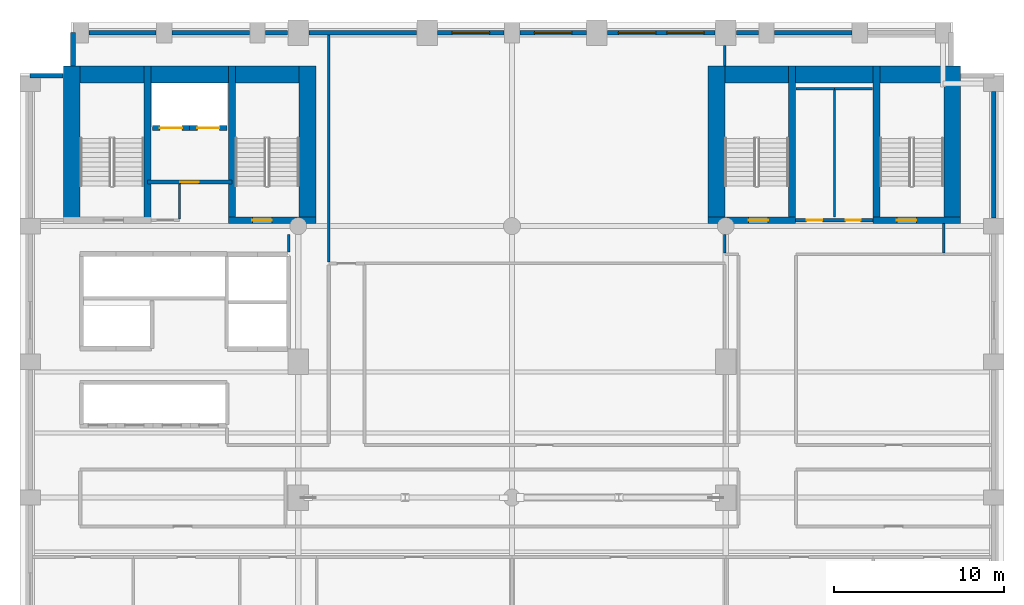
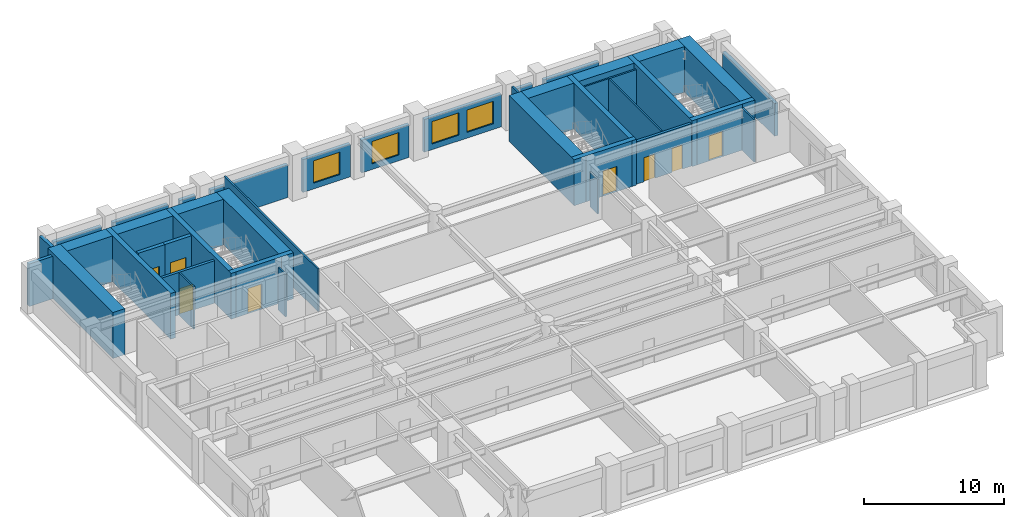
# One storey, part 7 of 10: 38 walls, 8 doors, 4 windows, 12 openings.
"""IFC4 building model written with IfcOpenShell, lengths in metres."""

from ifc_helpers import new_model, si_unit, direction, frame, frame_2d, origin, place, context, subcontext, project, spatial, rectangle, extrude, material, layer, layer_set, type_object, element, fill, save


model = new_model("IFC4")

# Units and contexts
model_context = context("Model", 3, precision=1e-05, world=origin(), true_north=direction((0.0, 1.0)))
body_context = subcontext(model_context, "Body", "Model", "MODEL_VIEW")
ifc_project = project(units=[si_unit("LENGTHUNIT", "METRE"), si_unit("AREAUNIT", "SQUARE_METRE"), si_unit("VOLUMEUNIT", "CUBIC_METRE"), si_unit("PLANEANGLEUNIT", "RADIAN"), si_unit("MASSUNIT", "GRAM", prefix="KILO")], contexts=[model_context])

# Site, building, storey
site_placement = place(None, origin())
site = spatial("IfcSite", under=ifc_project, at=site_placement, CompositionType="ELEMENT")
building_placement = place(site_placement, origin())
building = spatial("IfcBuilding", under=site, at=building_placement, Name="Sulina Concourse Tower", CompositionType="ELEMENT")
storey_placement = place(building_placement, frame((0.0, 0.0, 50.60009765625)))
storey = spatial("IfcBuildingStorey", under=building, at=storey_placement, Name="L12", CompositionType="ELEMENT", Elevation=50.60009765625)

# Wall, opening, door
ifc_material_1 = material(Name="Concrete C50/60", Category="concrete")
ifc_layer_1 = layer(ifc_material_1, 0.300048828125)
ifc_layer_set_1 = layer_set([ifc_layer_1], Name="Concrete C50/60")
wall_type_1 = type_object("IfcWallType", Name="Core Lift Hoistway Wall 300mm", PredefinedType="SOLIDWALL", material=ifc_layer_set_1)
wall_1_placement = place(storey_placement, frame((10.0, 39.780029296875, 0.0), z_axis=(0.0, 0.0, 1.0), x_axis=(-1.0, 0.0, 0.0)))
wall_1 = element("IfcWall", 1, at=wall_1_placement, inside=storey, type_object=wall_type_1, Name="L12 hoistway enclosure wall FFL-1", PredefinedType="SOLIDWALL", context=body_context, shape_type="SweptSolid", body=[
    extrude(rectangle(XDim=2.199951171875, YDim=0.300048828125, at=frame_2d((1.10009765625, 0.0))), origin(), (0.0, 0.0, 1.0), 4.0),
])
opening_1_placement = place(wall_1_placement, frame((0.449951171875, 0.0, 0.0)))
opening_1 = element("IfcOpeningElement", 2, at=opening_1_placement, cuts=wall_1, Name="Opening LD-02", PredefinedType="OPENING", context=body_context, shape_type="SweptSolid", body=[
    extrude(rectangle(XDim=1.300048828125, YDim=2.25, at=frame_2d((0.64990234375, 1.125))), frame((0.0, 0.159912109375, 0.0), z_axis=(0.0, -1.0, 0.0), x_axis=(1.0, 0.0, 0.0)), (0.0, 0.0, 1.0), 0.320068359375),
])
ifc_material_2 = material(Name="Stainless steel lift landing door", Category="steel")
ifc_layer_2 = layer(ifc_material_2, 0.050048828125)
ifc_layer_set_2 = layer_set([ifc_layer_2], Name="Stainless steel lift landing door")
door_type_1 = type_object("IfcDoorType", Name="Firefighting Lift Sliding Landing Door 1300x2250", OperationType="SLIDING_TO_RIGHT", PredefinedType="DOOR", material=ifc_layer_set_2)
door_1_placement = place(opening_1_placement, origin())
door_1 = element("IfcDoor", 3, at=door_1_placement, inside=storey, type_object=door_type_1, Name="L12 lift landing sliding door FFL-1", OperationType="SLIDING_TO_LEFT", OverallHeight=2.25, OverallWidth=1.300048828125, PredefinedType="DOOR", context=body_context, shape_type="SweptSolid", body=[
    extrude(rectangle(XDim=1.300048828125, YDim=2.25, at=frame_2d((0.64990234375, 1.125))), frame((0.0, 0.02490234375, 0.0), z_axis=(0.0, -1.0, 0.0), x_axis=(1.0, 0.0, 0.0)), (0.0, 0.0, 1.0), 0.050048828125),
])
fill(opening_1, door_1)

wall_2_placement = place(storey_placement, frame((12.199951171875, 39.780029296875, 0.0), z_axis=(0.0, 0.0, 1.0), x_axis=(-1.0, 0.0, 0.0)))
wall_2 = element("IfcWall", 4, at=wall_2_placement, inside=storey, type_object=wall_type_1, Name="L12 hoistway enclosure wall FFL-2", PredefinedType="SOLIDWALL", context=body_context, shape_type="SweptSolid", body=[
    extrude(rectangle(XDim=2.199951171875, YDim=0.300048828125, at=frame_2d((1.10009765625, 0.0))), origin(), (0.0, 0.0, 1.0), 4.0),
])
opening_2_placement = place(wall_2_placement, frame((0.449951171875, 0.0, 0.0)))
opening_2 = element("IfcOpeningElement", 5, at=opening_2_placement, cuts=wall_2, Name="Opening LD-02", PredefinedType="OPENING", context=body_context, shape_type="SweptSolid", body=[
    extrude(rectangle(XDim=1.300048828125, YDim=2.25, at=frame_2d((0.64990234375, 1.125))), frame((0.0, 0.159912109375, 0.0), z_axis=(0.0, -1.0, 0.0), x_axis=(1.0, 0.0, 0.0)), (0.0, 0.0, 1.0), 0.320068359375),
])
door_2_placement = place(opening_2_placement, origin())
door_2 = element("IfcDoor", 6, at=door_2_placement, inside=storey, type_object=door_type_1, Name="L12 lift landing sliding door FFL-2", OperationType="SLIDING_TO_RIGHT", OverallHeight=2.25, OverallWidth=1.300048828125, PredefinedType="DOOR", context=body_context, shape_type="SweptSolid", body=[
    extrude(rectangle(XDim=1.300048828125, YDim=2.25, at=frame_2d((0.64990234375, 1.125))), frame((0.0, 0.02490234375, 0.0), z_axis=(0.0, -1.0, 0.0), x_axis=(1.0, 0.0, 0.0)), (0.0, 0.0, 1.0), 0.050048828125),
])
fill(opening_2, door_2)

ifc_material_3 = material(Name="Gypsum board on steel stud", Category="steel")
ifc_layer_3 = layer(ifc_material_3, 0.219970703125)
ifc_layer_set_3 = layer_set([ifc_layer_3], Name="Gypsum board on steel stud")
wall_type_2 = type_object("IfcWallType", Name="Fire-Rated Lobby & Compartment Wall 220mm", PredefinedType="PARTITIONING", material=ifc_layer_set_3)
wall_3_placement = place(storey_placement, frame((7.510009765625, 36.60009765625, 0.0), z_axis=(0.0, 0.0, 1.0), x_axis=(1.0, 0.0, 0.0)))
wall_3 = element("IfcWall", 7, at=wall_3_placement, inside=storey, type_object=wall_type_2, Name="L12 firefighting lobby south fire wall", PredefinedType="PARTITIONING", context=body_context, shape_type="SweptSolid", body=[
    extrude(rectangle(XDim=4.97998046875, YDim=0.219970703125, at=frame_2d((2.489990234375, 0.0))), origin(), (0.0, 0.0, 1.0), 3.699951171875),
])
opening_3_placement = place(wall_3_placement, frame((1.93994140625, 0.0, 0.0)))
opening_3 = element("IfcOpeningElement", 8, at=opening_3_placement, cuts=wall_3, Name="Opening DR-47", PredefinedType="OPENING", context=body_context, shape_type="SweptSolid", body=[
    extrude(rectangle(XDim=1.10009765625, YDim=2.199951171875, at=frame_2d((0.550048828125, 1.10009765625))), frame((0.0, 0.119873046875, 0.0), z_axis=(0.0, -1.0, 0.0), x_axis=(1.0, 0.0, 0.0)), (0.0, 0.0, 1.0), 0.239990234375),
])
ifc_material_4 = material(Name="Galvanised steel acoustic fire leaf", Category="steel")
ifc_layer_4 = layer(ifc_material_4, 0.054931640625)
ifc_layer_set_4 = layer_set([ifc_layer_4], Name="Galvanised steel acoustic fire leaf")
door_type_2 = type_object("IfcDoorType", Name="Firefighting Lobby Fire Door 1100x2200", OperationType="NOTDEFINED", PredefinedType="DOOR", material=ifc_layer_set_4)
door_3_placement = place(opening_3_placement, origin())
door_3 = element("IfcDoor", 9, at=door_3_placement, inside=storey, type_object=door_type_2, Name="L12 firefighting lobby fire door", OperationType="SINGLE_SWING_LEFT", OverallHeight=2.199951171875, OverallWidth=1.10009765625, PredefinedType="DOOR", context=body_context, shape_type="SweptSolid", body=[
    extrude(rectangle(XDim=1.10009765625, YDim=2.199951171875, at=frame_2d((0.550048828125, 1.10009765625))), frame((0.0, 0.02490234375, 0.0), z_axis=(0.0, -1.0, 0.0), x_axis=(1.0, 0.0, 0.0)), (0.0, 0.0, 1.0), 0.050048828125),
])
fill(opening_3, door_3)

# Wall, openings, doors
wall_4_placement = place(storey_placement, frame((45.719970703125, 34.35009765625, 0.0), z_axis=(0.0, 0.0, 1.0), x_axis=(1.0, 0.0, 0.0)))
wall_4 = element("IfcWall", 10, at=wall_4_placement, inside=storey, type_object=wall_type_2, Name="L12 east core south lobby wall", PredefinedType="PARTITIONING", context=body_context, shape_type="SweptSolid", body=[
    extrude(rectangle(XDim=4.56005859375, YDim=0.219970703125, at=frame_2d((2.280029296875, 0.0))), origin(), (0.0, 0.0, 1.0), 3.699951171875),
])
opening_4_placement = place(wall_4_placement, frame((0.64990234375, 0.0, 0.0)))
opening_4 = element("IfcOpeningElement", 11, at=opening_4_placement, cuts=wall_4, Name="Opening DR-61", PredefinedType="OPENING", context=body_context, shape_type="SweptSolid", body=[
    extrude(rectangle(XDim=0.919921875, YDim=2.10009765625, at=frame_2d((0.4599609375, 1.050048828125))), frame((0.0, 0.119873046875, 0.0), z_axis=(0.0, -1.0, 0.0), x_axis=(1.0, 0.0, 0.0)), (0.0, 0.0, 1.0), 0.239990234375),
])
opening_5_placement = place(wall_4_placement, frame((2.949951171875, 0.0, 0.0)))
opening_5 = element("IfcOpeningElement", 12, at=opening_5_placement, cuts=wall_4, Name="Opening DR-38", PredefinedType="OPENING", context=body_context, shape_type="SweptSolid", body=[
    extrude(rectangle(XDim=0.8798828125, YDim=2.10009765625, at=frame_2d((0.43994140625, 1.050048828125))), frame((0.0, 0.119873046875, 0.0), z_axis=(0.0, -1.0, 0.0), x_axis=(1.0, 0.0, 0.0)), (0.0, 0.0, 1.0), 0.239990234375),
])
ifc_material_5 = material(Name="Oak-veneered fire door leaf")
ifc_layer_5 = layer(ifc_material_5, 0.050048828125)
ifc_layer_set_5 = layer_set([ifc_layer_5], Name="Oak-veneered fire door leaf")
door_type_3 = type_object("IfcDoorType", Name="Accessible WC Door 920x2100", OperationType="NOTDEFINED", PredefinedType="DOOR", material=ifc_layer_set_5)
door_4_placement = place(opening_4_placement, origin())
door_4 = element("IfcDoor", 13, at=door_4_placement, inside=storey, type_object=door_type_3, Name="L12 east core accessible wc door", OperationType="SINGLE_SWING_LEFT", OverallHeight=2.10009765625, OverallWidth=0.919921875, PredefinedType="DOOR", context=body_context, shape_type="SweptSolid", body=[
    extrude(rectangle(XDim=0.919921875, YDim=2.10009765625, at=frame_2d((0.4599609375, 1.050048828125))), frame((0.0, 0.02490234375, 0.0), z_axis=(0.0, -1.0, 0.0), x_axis=(1.0, 0.0, 0.0)), (0.0, 0.0, 1.0), 0.050048828125),
])
fill(opening_4, door_4)
ifc_material_6 = material(Name="Galvanised steel acoustic fire leaf", Category="steel")
ifc_layer_6 = layer(ifc_material_6, 0.050048828125)
ifc_layer_set_6 = layer_set([ifc_layer_6], Name="Galvanised steel acoustic fire leaf")
door_type_4 = type_object("IfcDoorType", Name="Service Riser Fire Door 880x2100", OperationType="NOTDEFINED", PredefinedType="DOOR", material=ifc_layer_set_6)
door_5_placement = place(opening_5_placement, origin())
door_5 = element("IfcDoor", 14, at=door_5_placement, inside=storey, type_object=door_type_4, Name="L12 east core store door", OperationType="SINGLE_SWING_RIGHT", OverallHeight=2.10009765625, OverallWidth=0.8798828125, PredefinedType="DOOR", context=body_context, shape_type="SweptSolid", body=[
    extrude(rectangle(XDim=0.8798828125, YDim=2.10009765625, at=frame_2d((0.43994140625, 1.050048828125))), frame((0.0, 0.02490234375, 0.0), z_axis=(0.0, -1.0, 0.0), x_axis=(1.0, 0.0, 0.0)), (0.0, 0.0, 1.0), 0.050048828125),
])
fill(opening_5, door_5)

# Walls
ifc_material_7 = material(Name="Gypsum board on steel stud", Category="steel")
ifc_layer_7 = layer(ifc_material_7, 0.14990234375)
ifc_layer_set_7 = layer_set([ifc_layer_7], Name="Gypsum board on steel stud")
wall_type_3 = type_object("IfcWallType", Name="Inter-Tenancy Acoustic Partition 150mm", PredefinedType="PARTITIONING", material=ifc_layer_set_7)
wall_5_placement = place(storey_placement, frame((48.0, 42.10009765625, 0.0), z_axis=(0.0, 0.0, 1.0), x_axis=(1.0, 0.0, 0.0)))
element("IfcWall", 15, at=wall_5_placement, inside=storey, type_object=wall_type_3, Name="L12 interior partition 026", PredefinedType="PARTITIONING", context=body_context, shape_type="SweptSolid", body=[
    extrude(rectangle(XDim=2.25, YDim=0.14990234375, at=frame_2d((1.125, 0.0))), origin(), (0.0, 0.0, 1.0), 3.699951171875),
])
wall_6_placement = place(storey_placement, frame((15.85009765625, 32.469970703125, 0.0), z_axis=(0.0, 0.0, 1.0), x_axis=(0.0, 1.0, 0.0)))
element("IfcWall", 16, at=wall_6_placement, inside=storey, type_object=wall_type_3, Name="L12 interior partition 033", PredefinedType="PARTITIONING", context=body_context, shape_type="SweptSolid", body=[
    extrude(rectangle(XDim=1.030029296875, YDim=0.14990234375, at=frame_2d((0.51513671875, 0.0))), origin(), (0.0, 0.0, 1.0), 3.699951171875),
])
wall_7_placement = place(storey_placement, frame((18.199951171875, 31.889892578125, 0.0), z_axis=(0.0, 0.0, 1.0), x_axis=(0.0, 1.0, 0.0)))
element("IfcWall", 17, at=wall_7_placement, inside=storey, type_object=wall_type_3, Name="L12 interior partition 036", PredefinedType="PARTITIONING", context=body_context, shape_type="SweptSolid", body=[
    extrude(rectangle(XDim=13.3701171875, YDim=0.14990234375, at=frame_2d((6.68505859375, 0.0))), origin(), (0.0, 0.0, 1.0), 3.699951171875),
])
wall_8_placement = place(storey_placement, frame((41.550048828125, 32.425048828125, 0.0), z_axis=(0.0, 0.0, 1.0), x_axis=(0.0, 1.0, 0.0)))
element("IfcWall", 18, at=wall_8_placement, inside=storey, type_object=wall_type_3, Name="L12 interior partition 041", PredefinedType="PARTITIONING", context=body_context, shape_type="SweptSolid", body=[
    extrude(rectangle(XDim=1.074951171875, YDim=0.14990234375, at=frame_2d((0.53759765625, 0.0))), origin(), (0.0, 0.0, 1.0), 2.994873046875),
])
wall_9_placement = place(storey_placement, frame((41.550048828125, 43.429931640625, 0.0), z_axis=(0.0, 0.0, 1.0), x_axis=(0.0, 1.0, 0.0)))
element("IfcWall", 19, at=wall_9_placement, inside=storey, type_object=wall_type_3, Name="L12 interior partition 042", PredefinedType="PARTITIONING", context=body_context, shape_type="SweptSolid", body=[
    extrude(rectangle(XDim=1.219970703125, YDim=0.14990234375, at=frame_2d((0.60986328125, 0.0))), origin(), (0.0, 0.0, 1.0), 3.699951171875),
])
wall_10_placement = place(storey_placement, frame((54.449951171875, 32.425048828125, 0.0), z_axis=(0.0, 0.0, 1.0), x_axis=(0.0, 1.0, 0.0)))
element("IfcWall", 20, at=wall_10_placement, inside=storey, type_object=wall_type_3, Name="L12 interior partition 051", PredefinedType="PARTITIONING", context=body_context, shape_type="SweptSolid", body=[
    extrude(rectangle(XDim=1.724853515625, YDim=0.14990234375, at=frame_2d((0.8623046875, 0.0))), origin(), (0.0, 0.0, 1.0), 3.699951171875),
])

# Wall, opening, door
ifc_material_8 = material(Name="Concrete C60/75", Category="concrete")
ifc_layer_8 = layer(ifc_material_8, 0.39990234375)
ifc_layer_set_8 = layer_set([ifc_layer_8], Name="Concrete C60/75")
wall_type_4 = type_object("IfcWallType", Name="Protected Stair Core Shear Wall 400mm", PredefinedType="SHEAR", material=ifc_layer_set_8)
wall_11_placement = place(storey_placement, frame((12.2900390625, 34.35009765625, 0.0), z_axis=(0.0, 0.0, 1.0), x_axis=(1.0, 0.0, 0.0)))
wall_11 = element("IfcWall", 21, at=wall_11_placement, inside=storey, type_object=wall_type_4, Name="L12 west core shear wall CW-WS2", PredefinedType="SHEAR", context=body_context, shape_type="SweptSolid", body=[
    extrude(rectangle(XDim=5.159912109375, YDim=0.39990234375, at=frame_2d((2.580078125, 0.0))), origin(), (0.0, 0.0, 1.0), 4.0),
])
opening_6_placement = place(wall_11_placement, frame((1.39990234375, 0.0, 0.0)))
opening_6 = element("IfcOpeningElement", 22, at=opening_6_placement, cuts=wall_11, Name="Opening DR-60", PredefinedType="OPENING", context=body_context, shape_type="SweptSolid", body=[
    extrude(rectangle(XDim=1.14990234375, YDim=2.199951171875, at=frame_2d((0.574951171875, 1.10009765625))), frame((0.0, 0.2099609375, 0.0), z_axis=(0.0, -1.0, 0.0), x_axis=(1.0, 0.0, 0.0)), (0.0, 0.0, 1.0), 0.419921875),
])
ifc_material_9 = material(Name="Galvanised steel acoustic fire leaf", Category="steel")
ifc_layer_9 = layer(ifc_material_9, 0.054931640625)
ifc_layer_set_9 = layer_set([ifc_layer_9], Name="Galvanised steel acoustic fire leaf")
door_type_5 = type_object("IfcDoorType", Name="Protected Exit Stair Fire Door 1150x2200", OperationType="NOTDEFINED", PredefinedType="DOOR", material=ifc_layer_set_9)
door_6_placement = place(opening_6_placement, origin())
door_6 = element("IfcDoor", 23, at=door_6_placement, inside=storey, type_object=door_type_5, Name="L12 stair ST-2 lobby fire door", OperationType="SINGLE_SWING_RIGHT", OverallHeight=2.199951171875, OverallWidth=1.14990234375, PredefinedType="DOOR", context=body_context, shape_type="SweptSolid", body=[
    extrude(rectangle(XDim=1.14990234375, YDim=2.199951171875, at=frame_2d((0.574951171875, 1.10009765625))), frame((0.0, 0.02490234375, 0.0), z_axis=(0.0, -1.0, 0.0), x_axis=(1.0, 0.0, 0.0)), (0.0, 0.0, 1.0), 0.050048828125),
])
fill(opening_6, door_6)

# Walls
for number, where, z_axis, x_axis, name in (
    (24, (7.510009765625, 34.14990234375, 0.0), (0.0, 0.0, 1.0), (0.0, 1.0, 0.0), "L12 west core shear wall SW-ST1"),
    (25, (12.489990234375, 34.14990234375, 0.0), (0.0, 0.0, 1.0), (0.0, 1.0, 0.0), "L12 west core shear wall SW-ST2"),
):
    element("IfcWall", number, at=place(storey_placement, frame(where, z_axis=z_axis, x_axis=x_axis)), inside=storey, type_object=wall_type_4, Name=name, PredefinedType="SHEAR", context=body_context, shape_type="SweptSolid", body=[
        extrude(rectangle(XDim=9.280029296875, YDim=0.39990234375, at=frame_2d((4.64013671875, 0.0))), origin(), (0.0, 0.0, 1.0), 4.0),
    ])

# Wall, opening, door
wall_12_placement = place(storey_placement, frame((40.550048828125, 34.35009765625, 0.0), z_axis=(0.0, 0.0, 1.0), x_axis=(1.0, 0.0, 0.0)))
wall_12 = element("IfcWall", 26, at=wall_12_placement, inside=storey, type_object=wall_type_4, Name="L12 east core shear wall CW-ES1", PredefinedType="SHEAR", context=body_context, shape_type="SweptSolid", body=[
    extrude(rectangle(XDim=5.159912109375, YDim=0.39990234375, at=frame_2d((2.580078125, 0.0))), origin(), (0.0, 0.0, 1.0), 4.0),
])
opening_7_placement = place(wall_12_placement, frame((2.39990234375, 0.0, 0.0)))
opening_7 = element("IfcOpeningElement", 27, at=opening_7_placement, cuts=wall_12, Name="Opening DR-60", PredefinedType="OPENING", context=body_context, shape_type="SweptSolid", body=[
    extrude(rectangle(XDim=1.14990234375, YDim=2.199951171875, at=frame_2d((0.574951171875, 1.10009765625))), frame((0.0, 0.2099609375, 0.0), z_axis=(0.0, -1.0, 0.0), x_axis=(1.0, 0.0, 0.0)), (0.0, 0.0, 1.0), 0.419921875),
])
door_7_placement = place(opening_7_placement, origin())
door_7 = element("IfcDoor", 28, at=door_7_placement, inside=storey, type_object=door_type_5, Name="L12 stair ST-3 south lobby fire door", OperationType="SINGLE_SWING_RIGHT", OverallHeight=2.199951171875, OverallWidth=1.14990234375, PredefinedType="DOOR", context=body_context, shape_type="SweptSolid", body=[
    extrude(rectangle(XDim=1.14990234375, YDim=2.199951171875, at=frame_2d((0.574951171875, 1.10009765625))), frame((0.0, 0.02490234375, 0.0), z_axis=(0.0, -1.0, 0.0), x_axis=(1.0, 0.0, 0.0)), (0.0, 0.0, 1.0), 0.050048828125),
])
fill(opening_7, door_7)

# Wall
wall_13_placement = place(storey_placement, frame((45.510009765625, 34.14990234375, 0.0), z_axis=(0.0, 0.0, 1.0), x_axis=(0.0, 1.0, 0.0)))
element("IfcWall", 29, at=wall_13_placement, inside=storey, type_object=wall_type_4, Name="L12 east core shear wall SW-ST3", PredefinedType="SHEAR", context=body_context, shape_type="SweptSolid", body=[
    extrude(rectangle(XDim=9.280029296875, YDim=0.39990234375, at=frame_2d((4.64013671875, 0.0))), origin(), (0.0, 0.0, 1.0), 4.0),
])

# Wall, opening, door
wall_14_placement = place(storey_placement, frame((50.2900390625, 34.35009765625, 0.0), z_axis=(0.0, 0.0, 1.0), x_axis=(1.0, 0.0, 0.0)))
wall_14 = element("IfcWall", 30, at=wall_14_placement, inside=storey, type_object=wall_type_4, Name="L12 east core shear wall CW-ES2", PredefinedType="SHEAR", context=body_context, shape_type="SweptSolid", body=[
    extrude(rectangle(XDim=5.159912109375, YDim=0.39990234375, at=frame_2d((2.580078125, 0.0))), origin(), (0.0, 0.0, 1.0), 4.0),
])
opening_8_placement = place(wall_14_placement, frame((1.39990234375, 0.0, 0.0)))
opening_8 = element("IfcOpeningElement", 31, at=opening_8_placement, cuts=wall_14, Name="Opening DR-60", PredefinedType="OPENING", context=body_context, shape_type="SweptSolid", body=[
    extrude(rectangle(XDim=1.14990234375, YDim=2.199951171875, at=frame_2d((0.574951171875, 1.10009765625))), frame((0.0, 0.2099609375, 0.0), z_axis=(0.0, -1.0, 0.0), x_axis=(1.0, 0.0, 0.0)), (0.0, 0.0, 1.0), 0.419921875),
])
door_8_placement = place(opening_8_placement, origin())
door_8 = element("IfcDoor", 32, at=door_8_placement, inside=storey, type_object=door_type_5, Name="L12 stair ST-4 south lobby fire door", OperationType="SINGLE_SWING_LEFT", OverallHeight=2.199951171875, OverallWidth=1.14990234375, PredefinedType="DOOR", context=body_context, shape_type="SweptSolid", body=[
    extrude(rectangle(XDim=1.14990234375, YDim=2.199951171875, at=frame_2d((0.574951171875, 1.10009765625))), frame((0.0, 0.02490234375, 0.0), z_axis=(0.0, -1.0, 0.0), x_axis=(1.0, 0.0, 0.0)), (0.0, 0.0, 1.0), 0.050048828125),
])
fill(opening_8, door_8)

# Walls
wall_15_placement = place(storey_placement, frame((50.489990234375, 34.14990234375, 0.0), z_axis=(0.0, 0.0, 1.0), x_axis=(0.0, 1.0, 0.0)))
element("IfcWall", 33, at=wall_15_placement, inside=storey, type_object=wall_type_4, Name="L12 east core shear wall SW-ST4", PredefinedType="SHEAR", context=body_context, shape_type="SweptSolid", body=[
    extrude(rectangle(XDim=9.280029296875, YDim=0.39990234375, at=frame_2d((4.64013671875, 0.0))), origin(), (0.0, 0.0, 1.0), 4.0),
])
ifc_material_10 = material(Name="Concrete C80/95", Category="concrete")
ifc_layer_10 = layer(ifc_material_10, 1.0)
ifc_layer_set_10 = layer_set([ifc_layer_10], Name="Concrete C80/95")
wall_type_5 = type_object("IfcWallType", Name="Rear Core Shear Wall 1000mm", PredefinedType="SHEAR", material=ifc_layer_set_10)
wall_16_placement = place(storey_placement, frame((2.550048828125, 42.929931640625, 0.0), z_axis=(0.0, 0.0, 1.0), x_axis=(1.0, 0.0, 0.0)))
element("IfcWall", 34, at=wall_16_placement, inside=storey, type_object=wall_type_5, Name="L12 west core shear wall CW-WN", PredefinedType="SHEAR", context=body_context, shape_type="SweptSolid", body=[
    extrude(rectangle(XDim=14.89990234375, YDim=1.0, at=frame_2d((7.449951171875, 0.0))), origin(), (0.0, 0.0, 1.0), 4.0),
])
for number, where, z_axis, x_axis, name in (
    (35, (3.050048828125, 34.14990234375, 0.0), (0.0, 0.0, 1.0), (0.0, 1.0, 0.0), "L12 west core shear wall CW-WW"),
    (36, (16.949951171875, 34.14990234375, 0.0), (0.0, 0.0, 1.0), (0.0, 1.0, 0.0), "L12 west core shear wall CW-WE"),
):
    element("IfcWall", number, at=place(storey_placement, frame(where, z_axis=z_axis, x_axis=x_axis)), inside=storey, type_object=wall_type_5, Name=name, PredefinedType="SHEAR", context=body_context, shape_type="SweptSolid", body=[
        extrude(rectangle(XDim=9.280029296875, YDim=1.0, at=frame_2d((4.64013671875, 0.0))), origin(), (0.0, 0.0, 1.0), 4.0),
    ])
wall_17_placement = place(storey_placement, frame((40.550048828125, 42.929931640625, 0.0), z_axis=(0.0, 0.0, 1.0), x_axis=(1.0, 0.0, 0.0)))
element("IfcWall", 37, at=wall_17_placement, inside=storey, type_object=wall_type_5, Name="L12 east core shear wall CW-EN", PredefinedType="SHEAR", context=body_context, shape_type="SweptSolid", body=[
    extrude(rectangle(XDim=14.89990234375, YDim=1.0, at=frame_2d((7.449951171875, 0.0))), origin(), (0.0, 0.0, 1.0), 4.0),
])
for number, where, z_axis, x_axis, name in (
    (38, (41.050048828125, 34.14990234375, 0.0), (0.0, 0.0, 1.0), (0.0, 1.0, 0.0), "L12 east core shear wall CW-EW"),
    (39, (54.949951171875, 34.14990234375, 0.0), (0.0, 0.0, 1.0), (0.0, 1.0, 0.0), "L12 east core shear wall CW-EE"),
):
    element("IfcWall", number, at=place(storey_placement, frame(where, z_axis=z_axis, x_axis=x_axis)), inside=storey, type_object=wall_type_5, Name=name, PredefinedType="SHEAR", context=body_context, shape_type="SweptSolid", body=[
        extrude(rectangle(XDim=9.280029296875, YDim=1.0, at=frame_2d((4.64013671875, 0.0))), origin(), (0.0, 0.0, 1.0), 4.0),
    ])
ifc_material_11 = material(Name="Precast concrete C50/60", Category="concrete")
ifc_layer_11 = layer(ifc_material_11, 0.280029296875)
ifc_layer_set_11 = layer_set([ifc_layer_11], Name="Precast concrete C50/60")
wall_type_6 = type_object("IfcWallType", Name="Typical Precast Masonry-Frame Facade Wall 280mm", PredefinedType="SOLIDWALL", material=ifc_layer_set_11)
wall_18_placement = place(storey_placement, frame((4.070068359375, 45.39990234375, 0.0), z_axis=(0.0, 0.0, 1.0), x_axis=(1.0, 0.0, 0.0)))
element("IfcWall", 40, at=wall_18_placement, inside=storey, type_object=wall_type_6, Name="L12 exterior precast wall N1", PredefinedType="SOLIDWALL", context=body_context, shape_type="SweptSolid", body=[
    extrude(rectangle(XDim=3.9599609375, YDim=0.280029296875, at=frame_2d((1.97998046875, 0.0))), origin(), (0.0, 0.0, 1.0), 2.849853515625),
])
wall_19_placement = place(storey_placement, frame((8.969970703125, 45.39990234375, 0.0), z_axis=(0.0, 0.0, 1.0), x_axis=(1.0, 0.0, 0.0)))
element("IfcWall", 41, at=wall_19_placement, inside=storey, type_object=wall_type_6, Name="L12 exterior precast wall N2", PredefinedType="SOLIDWALL", context=body_context, shape_type="SweptSolid", body=[
    extrude(rectangle(XDim=4.56005859375, YDim=0.280029296875, at=frame_2d((2.280029296875, 0.0))), origin(), (0.0, 0.0, 1.0), 2.849853515625),
])
wall_20_placement = place(storey_placement, frame((14.469970703125, 45.39990234375, 0.0), z_axis=(0.0, 0.0, 1.0), x_axis=(1.0, 0.0, 0.0)))
element("IfcWall", 42, at=wall_20_placement, inside=storey, type_object=wall_type_6, Name="L12 exterior precast wall N3", PredefinedType="SOLIDWALL", context=body_context, shape_type="SweptSolid", body=[
    extrude(rectangle(XDim=1.31005859375, YDim=0.280029296875, at=frame_2d((0.655029296875, 0.0))), origin(), (0.0, 0.0, 1.0), 2.849853515625),
])
wall_21_placement = place(storey_placement, frame((17.02001953125, 45.39990234375, 0.0), z_axis=(0.0, 0.0, 1.0), x_axis=(1.0, 0.0, 0.0)))
element("IfcWall", 43, at=wall_21_placement, inside=storey, type_object=wall_type_6, Name="L12 exterior precast wall N4", PredefinedType="SOLIDWALL", context=body_context, shape_type="SweptSolid", body=[
    extrude(rectangle(XDim=6.35986328125, YDim=0.280029296875, at=frame_2d((3.179931640625, 0.0))), origin(), (0.0, 0.0, 1.0), 2.849853515625),
])

# Wall, opening, window
wall_22_placement = place(storey_placement, frame((24.6201171875, 45.39990234375, 0.0), z_axis=(0.0, 0.0, 1.0), x_axis=(1.0, 0.0, 0.0)))
wall_22 = element("IfcWall", 44, at=wall_22_placement, inside=storey, type_object=wall_type_6, Name="L12 exterior precast wall N5", PredefinedType="SOLIDWALL", context=body_context, shape_type="SweptSolid", body=[
    extrude(rectangle(XDim=3.909912109375, YDim=0.280029296875, at=frame_2d((1.955078125, 0.0))), origin(), (0.0, 0.0, 1.0), 2.849853515625),
])
opening_9_placement = place(wall_22_placement, frame((0.85498046875, 0.0, 0.5)))
opening_9 = element("IfcOpeningElement", 45, at=opening_9_placement, cuts=wall_22, Name="Opening WN-76", PredefinedType="OPENING", context=body_context, shape_type="SweptSolid", body=[
    extrude(rectangle(XDim=2.199951171875, YDim=1.949951171875, at=frame_2d((1.10009765625, 0.97509765625))), frame((0.0, 0.14990234375, 0.0), z_axis=(0.0, -1.0, 0.0), x_axis=(1.0, 0.0, 0.0)), (0.0, 0.0, 1.0), 0.300048828125),
])
ifc_material_12 = material(Name="Low-E solar double glazing in bronze aluminium", Category="aluminium")
window_type = type_object("IfcWindowType", Name="Recessed Spandrel Window 2200x1950", PartitioningType="DOUBLE_PANEL_VERTICAL", PredefinedType="WINDOW", material=ifc_material_12)
window_1_placement = place(opening_9_placement, origin())
window_1 = element("IfcWindow", 46, at=window_1_placement, inside=storey, type_object=window_type, Name="L12 punched window N5-1", OverallHeight=1.949951171875, OverallWidth=2.199951171875, PartitioningType="SINGLE_PANEL", PredefinedType="WINDOW", context=body_context, shape_type="SweptSolid", body=[
    extrude(rectangle(XDim=2.199951171875, YDim=1.949951171875, at=frame_2d((1.10009765625, 0.97509765625))), frame((0.0, 0.030029296875, 0.0), z_axis=(0.0, -1.0, 0.0), x_axis=(1.0, 0.0, 0.0)), (0.0, 0.0, 1.0), 0.06005859375),
])
fill(opening_9, window_1)

wall_23_placement = place(storey_placement, frame((29.469970703125, 45.39990234375, 0.0), z_axis=(0.0, 0.0, 1.0), x_axis=(1.0, 0.0, 0.0)))
wall_23 = element("IfcWall", 47, at=wall_23_placement, inside=storey, type_object=wall_type_6, Name="L12 exterior precast wall N6", PredefinedType="SOLIDWALL", context=body_context, shape_type="SweptSolid", body=[
    extrude(rectangle(XDim=3.909912109375, YDim=0.280029296875, at=frame_2d((1.955078125, 0.0))), origin(), (0.0, 0.0, 1.0), 2.849853515625),
])
opening_10_placement = place(wall_23_placement, frame((0.85498046875, 0.0, 0.5)))
opening_10 = element("IfcOpeningElement", 48, at=opening_10_placement, cuts=wall_23, Name="Opening WN-76", PredefinedType="OPENING", context=body_context, shape_type="SweptSolid", body=[
    extrude(rectangle(XDim=2.199951171875, YDim=1.949951171875, at=frame_2d((1.10009765625, 0.97509765625))), frame((0.0, 0.14990234375, 0.0), z_axis=(0.0, -1.0, 0.0), x_axis=(1.0, 0.0, 0.0)), (0.0, 0.0, 1.0), 0.300048828125),
])
window_2_placement = place(opening_10_placement, origin())
window_2 = element("IfcWindow", 49, at=window_2_placement, inside=storey, type_object=window_type, Name="L12 punched window N6-1", OverallHeight=1.949951171875, OverallWidth=2.199951171875, PartitioningType="SINGLE_PANEL", PredefinedType="WINDOW", context=body_context, shape_type="SweptSolid", body=[
    extrude(rectangle(XDim=2.199951171875, YDim=1.949951171875, at=frame_2d((1.10009765625, 0.97509765625))), frame((0.0, 0.030029296875, 0.0), z_axis=(0.0, -1.0, 0.0), x_axis=(1.0, 0.0, 0.0)), (0.0, 0.0, 1.0), 0.06005859375),
])
fill(opening_10, window_2)

# Wall, openings, windows
wall_24_placement = place(storey_placement, frame((34.6201171875, 45.39990234375, 0.0), z_axis=(0.0, 0.0, 1.0), x_axis=(1.0, 0.0, 0.0)))
wall_24 = element("IfcWall", 50, at=wall_24_placement, inside=storey, type_object=wall_type_6, Name="L12 exterior precast wall N7", PredefinedType="SOLIDWALL", context=body_context, shape_type="SweptSolid", body=[
    extrude(rectangle(XDim=6.35986328125, YDim=0.280029296875, at=frame_2d((3.179931640625, 0.0))), origin(), (0.0, 0.0, 1.0), 2.849853515625),
])
opening_11_placement = place(wall_24_placement, frame((0.6533203125, 0.0, 0.5)))
opening_11 = element("IfcOpeningElement", 51, at=opening_11_placement, cuts=wall_24, Name="Opening WN-76", PredefinedType="OPENING", context=body_context, shape_type="SweptSolid", body=[
    extrude(rectangle(XDim=2.199951171875, YDim=1.949951171875, at=frame_2d((1.10009765625, 0.97509765625))), frame((0.0, 0.14990234375, 0.0), z_axis=(0.0, -1.0, 0.0), x_axis=(1.0, 0.0, 0.0)), (0.0, 0.0, 1.0), 0.300048828125),
])
opening_12_placement = place(wall_24_placement, frame((3.506591796875, 0.0, 0.5)))
opening_12 = element("IfcOpeningElement", 52, at=opening_12_placement, cuts=wall_24, Name="Opening WN-76", PredefinedType="OPENING", context=body_context, shape_type="SweptSolid", body=[
    extrude(rectangle(XDim=2.199951171875, YDim=1.949951171875, at=frame_2d((1.10009765625, 0.97509765625))), frame((0.0, 0.14990234375, 0.0), z_axis=(0.0, -1.0, 0.0), x_axis=(1.0, 0.0, 0.0)), (0.0, 0.0, 1.0), 0.300048828125),
])
window_3_placement = place(opening_11_placement, origin())
window_3 = element("IfcWindow", 53, at=window_3_placement, inside=storey, type_object=window_type, Name="L12 punched window N7-1", OverallHeight=1.949951171875, OverallWidth=2.199951171875, PartitioningType="SINGLE_PANEL", PredefinedType="WINDOW", context=body_context, shape_type="SweptSolid", body=[
    extrude(rectangle(XDim=2.199951171875, YDim=1.949951171875, at=frame_2d((1.10009765625, 0.97509765625))), frame((0.0, 0.030029296875, 0.0), z_axis=(0.0, -1.0, 0.0), x_axis=(1.0, 0.0, 0.0)), (0.0, 0.0, 1.0), 0.06005859375),
])
fill(opening_11, window_3)
window_4_placement = place(opening_12_placement, origin())
window_4 = element("IfcWindow", 54, at=window_4_placement, inside=storey, type_object=window_type, Name="L12 punched window N7-2", OverallHeight=1.949951171875, OverallWidth=2.199951171875, PartitioningType="SINGLE_PANEL", PredefinedType="WINDOW", context=body_context, shape_type="SweptSolid", body=[
    extrude(rectangle(XDim=2.199951171875, YDim=1.949951171875, at=frame_2d((1.10009765625, 0.97509765625))), frame((0.0, 0.030029296875, 0.0), z_axis=(0.0, -1.0, 0.0), x_axis=(1.0, 0.0, 0.0)), (0.0, 0.0, 1.0), 0.06005859375),
])
fill(opening_12, window_4)

# Walls
wall_25_placement = place(storey_placement, frame((42.219970703125, 45.39990234375, 0.0), z_axis=(0.0, 0.0, 1.0), x_axis=(1.0, 0.0, 0.0)))
element("IfcWall", 55, at=wall_25_placement, inside=storey, type_object=wall_type_6, Name="L12 exterior precast wall N8", PredefinedType="SOLIDWALL", context=body_context, shape_type="SweptSolid", body=[
    extrude(rectangle(XDim=1.31005859375, YDim=0.280029296875, at=frame_2d((0.655029296875, 0.0))), origin(), (0.0, 0.0, 1.0), 2.849853515625),
])
wall_26_placement = place(storey_placement, frame((44.469970703125, 45.39990234375, 0.0), z_axis=(0.0, 0.0, 1.0), x_axis=(1.0, 0.0, 0.0)))
element("IfcWall", 56, at=wall_26_placement, inside=storey, type_object=wall_type_6, Name="L12 exterior precast wall N9", PredefinedType="SOLIDWALL", context=body_context, shape_type="SweptSolid", body=[
    extrude(rectangle(XDim=4.56005859375, YDim=0.280029296875, at=frame_2d((2.280029296875, 0.0))), origin(), (0.0, 0.0, 1.0), 2.849853515625),
])
wall_27_placement = place(storey_placement, frame((57.39990234375, 41.929931640625, 0.0), z_axis=(0.0, 0.0, 1.0), x_axis=(0.0, -1.0, 0.0)))
element("IfcWall", 57, at=wall_27_placement, inside=storey, type_object=wall_type_6, Name="L12 exterior precast wall E5", PredefinedType="SOLIDWALL", context=body_context, shape_type="SweptSolid", body=[
    extrude(rectangle(XDim=7.4599609375, YDim=0.280029296875, at=frame_2d((3.72998046875, 0.0))), origin(), (0.0, 0.0, 1.0), 2.849853515625),
])
wall_28_placement = place(storey_placement, frame((0.60009765625, 42.8701171875, 0.0), z_axis=(0.0, 0.0, 1.0), x_axis=(1.0, 0.0, 0.0)))
element("IfcWall", 58, at=wall_28_placement, inside=storey, type_object=wall_type_6, Name="L12 exterior precast wall CNW1", PredefinedType="SOLIDWALL", context=body_context, shape_type="SweptSolid", body=[
    extrude(rectangle(XDim=1.94482421875, YDim=0.280029296875, at=frame_2d((0.972412109375, 0.0))), origin(), (0.0, 0.0, 1.0), 3.699951171875),
])
wall_29_placement = place(storey_placement, frame((3.1298828125, 43.43505859375, 0.0), z_axis=(0.0, 0.0, 1.0), x_axis=(0.0, 1.0, 0.0)))
element("IfcWall", 59, at=wall_29_placement, inside=storey, type_object=wall_type_6, Name="L12 exterior precast wall CNW2", PredefinedType="SOLIDWALL", context=body_context, shape_type="SweptSolid", body=[
    extrude(rectangle(XDim=1.96484375, YDim=0.280029296875, at=frame_2d((0.982421875, 0.0))), origin(), (0.0, 0.0, 1.0), 3.699951171875),
])
ifc_material_13 = material(Name="Gypsum board on steel stud", Category="steel")
ifc_layer_12 = layer(ifc_material_13, 0.125)
ifc_layer_set_12 = layer_set([ifc_layer_12], Name="Gypsum board on steel stud")
wall_type_7 = type_object("IfcWallType", Name="Wet-Area Moisture-Resistant Partition 125mm", PredefinedType="PARTITIONING", material=ifc_layer_set_12)
wall_30_placement = place(storey_placement, frame((45.75, 42.10009765625, 0.0), z_axis=(0.0, 0.0, 1.0), x_axis=(1.0, 0.0, 0.0)))
element("IfcWall", 60, at=wall_30_placement, inside=storey, type_object=wall_type_7, Name="L12 interior partition 025", PredefinedType="PARTITIONING", context=body_context, shape_type="SweptSolid", body=[
    extrude(rectangle(XDim=2.25, YDim=0.125, at=frame_2d((1.125, 0.0))), origin(), (0.0, 0.0, 1.0), 3.699951171875),
])
wall_31_placement = place(storey_placement, frame((9.39990234375, 34.41259765625, 0.0), z_axis=(0.0, 0.0, 1.0), x_axis=(0.0, 1.0, 0.0)))
element("IfcWall", 61, at=wall_31_placement, inside=storey, type_object=wall_type_7, Name="L12 interior partition 029", PredefinedType="PARTITIONING", context=body_context, shape_type="SweptSolid", body=[
    extrude(rectangle(XDim=2.077392578125, YDim=0.125, at=frame_2d((1.03857421875, 0.0))), origin(), (0.0, 0.0, 1.0), 3.699951171875),
])
wall_32_placement = place(storey_placement, frame((48.0, 34.550048828125, 0.0), z_axis=(0.0, 0.0, 1.0), x_axis=(0.0, 1.0, 0.0)))
element("IfcWall", 62, at=wall_32_placement, inside=storey, type_object=wall_type_7, Name="L12 interior partition 049", PredefinedType="PARTITIONING", context=body_context, shape_type="SweptSolid", body=[
    extrude(rectangle(XDim=7.474853515625, YDim=0.125, at=frame_2d((3.7373046875, 0.0))), origin(), (0.0, 0.0, 1.0), 3.699951171875),
])

save(model, "model.ifc")
